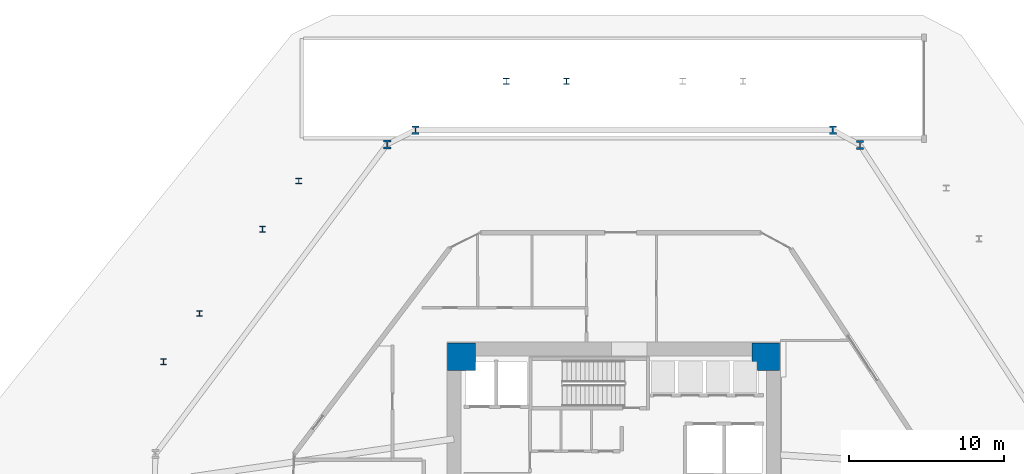
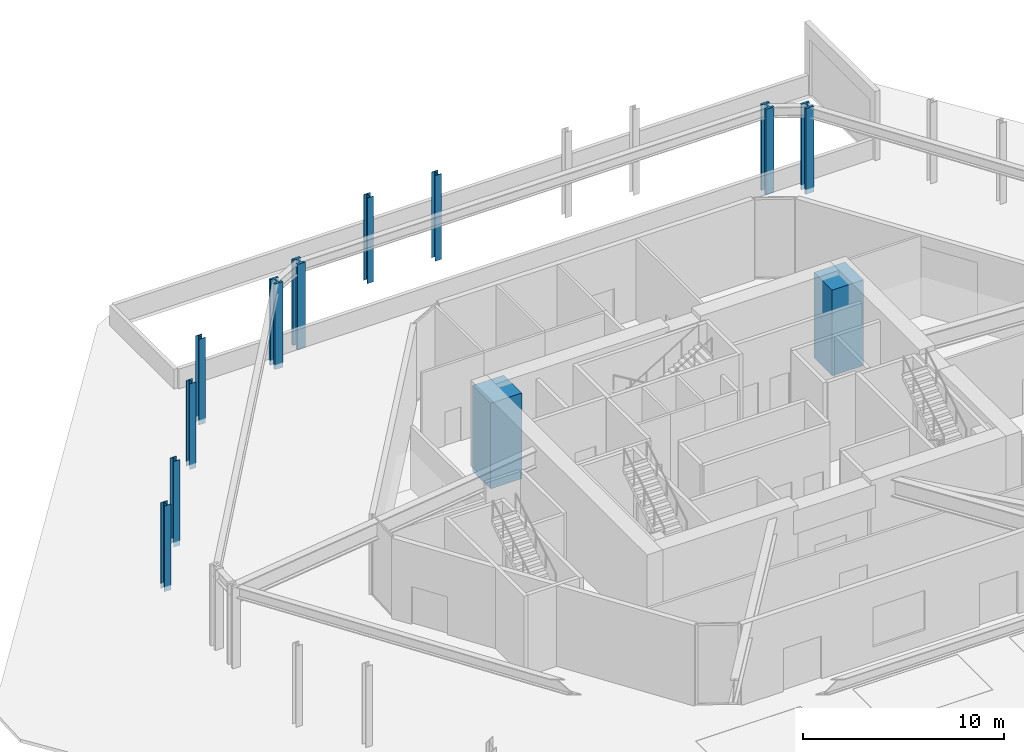
# One storey, part 3 of 18: 12 columns.
"""IFC4 building model written with IfcOpenShell, lengths in metres."""

from ifc_helpers import new_model, si_unit, direction, frame, origin, origin_2d, place, context, subcontext, project, spatial, rectangle, i_section, extrude, source, transform, mapped, material, material_profile, profile_set, type_object, type_shapes, element, save


model = new_model("IFC4")

# Units and contexts
model_context = context("Model", 3, precision=1e-05, world=origin(), true_north=direction((0.0, 1.0)))
body_context = subcontext(model_context, "Body", "Model", "MODEL_VIEW")
ifc_project = project(units=[si_unit("LENGTHUNIT", "METRE"), si_unit("AREAUNIT", "SQUARE_METRE"), si_unit("VOLUMEUNIT", "CUBIC_METRE"), si_unit("PLANEANGLEUNIT", "RADIAN"), si_unit("MASSUNIT", "GRAM", prefix="KILO")], contexts=[model_context])

# Site, building, storey
site_placement = place(None, origin())
site = spatial("IfcSite", under=ifc_project, at=site_placement, CompositionType="ELEMENT")
building_placement = place(site_placement, origin())
building = spatial("IfcBuilding", under=site, at=building_placement, Name="Durnholm Broadcast Tower", CompositionType="ELEMENT")
storey_placement = place(building_placement, origin())
storey = spatial("IfcBuildingStorey", under=building, at=storey_placement, Name="L00", CompositionType="ELEMENT", Elevation=0.0)

# Columns
ifc_material_1 = material(Name="Concrete C70/85", Category="concrete")
ifc_material_profile_1 = material_profile(ifc_material_1, rectangle(XDim=1.800048828125, YDim=1.800048828125, at=origin_2d()), Name="RC1800X1800")
ifc_profile_set_1 = profile_set([ifc_material_profile_1], Name="Concrete C70/85")
column_type_1 = type_object("IfcColumnType", Name="COL-CC-1800", PredefinedType="COLUMN", material=ifc_profile_set_1)
shared_shape_1 = source(origin(), body_context, "Body", "SweptSolid", [
    extrude(rectangle(XDim=1.800048828125, YDim=1.800048828125, at=origin_2d()), origin(), (0.0, 0.0, 1.0), 5.199951171875),
])
type_shapes(column_type_1, [shared_shape_1])
for number, where, z_axis, x_axis, name in (
    (1, (9.800048828125, 7.800048828125, -0.300048828125), (0.0, 0.0, 1.0), (1.0, 0.0, 0.0), "L00 core corner column 3"),
    (2, (-9.800048828125, 7.800048828125, -0.300048828125), (0.0, 0.0, 1.0), (1.0, 0.0, 0.0), "L00 core corner column 4"),
):
    element("IfcColumn", number, at=place(storey_placement, frame(where, z_axis=z_axis, x_axis=x_axis)), inside=storey, type_object=column_type_1, Name=name, PredefinedType="COLUMN", context=body_context, shape_type="MappedRepresentation", body=[
        mapped(shared_shape_1, transform((0.0, 0.0, 0.0), x_axis=(1.0, 0.0, 0.0), y_axis=(0.0, 1.0, 0.0), z_axis=(0.0, 0.0, 1.0), scale=1.0)),
    ])
ifc_material_2 = material(Name="Steel ASTM A913 Grade 65", Category="steel")
ifc_material_profile_2 = material_profile(ifc_material_2, i_section(OverallWidth=0.454345703125, OverallDepth=0.569091796875, WebThickness=0.077880859375, FlangeThickness=0.124755859375, FilletRadius=0.030517578125, at=origin_2d()), Name="W14X730")
ifc_profile_set_2 = profile_set([ifc_material_profile_2], Name="Steel ASTM A913 Grade 65")
column_type_2 = type_object("IfcColumnType", Name="STL-SC-W14X730", PredefinedType="COLUMN", material=ifc_profile_set_2)
shared_shape_2 = source(origin(), body_context, "Body", "SweptSolid", [
    extrude(i_section(OverallWidth=0.454345703125, OverallDepth=0.569091796875, WebThickness=0.077880859375, FlangeThickness=0.124755859375, FilletRadius=0.030517578125, at=origin_2d()), origin(), (0.0, 0.0, 1.0), 5.199951171875),
])
type_shapes(column_type_2, [shared_shape_2])
for number, where, z_axis, x_axis, name in (
    (3, (-14.594482421875, 21.487548828125, -0.300048828125), (0.0, 0.0, 1.0), (1.0, 0.0, 0.0), "L00 perimeter hexagonal tube column 04"),
    (4, (-12.77197265625, 22.39990234375, -0.300048828125), (0.0, 0.0, 1.0), (1.0, 0.0, 0.0), "L00 perimeter hexagonal tube column 05"),
    (5, (14.119384765625, 22.39990234375, -0.300048828125), (0.0, 0.0, 1.0), (1.0, 0.0, 0.0), "L00 perimeter hexagonal tube column 06"),
    (6, (15.866455078125, 21.45068359375, -0.300048828125), (0.0, 0.0, 1.0), (1.0, 0.0, 0.0), "L00 perimeter hexagonal tube column 07"),
):
    element("IfcColumn", number, at=place(storey_placement, frame(where, z_axis=z_axis, x_axis=x_axis)), inside=storey, type_object=column_type_2, Name=name, PredefinedType="COLUMN", context=body_context, shape_type="MappedRepresentation", body=[
        mapped(shared_shape_2, transform((0.0, 0.0, 0.0), x_axis=(1.0, 0.0, 0.0), y_axis=(0.0, 1.0, 0.0), z_axis=(0.0, 0.0, 1.0), scale=1.0)),
    ])
ifc_material_3 = material(Name="Steel ASTM A992 Grade 50", Category="steel")
ifc_material_profile_3 = material_profile(ifc_material_3, i_section(OverallWidth=0.37255859375, OverallDepth=0.367919921875, WebThickness=0.014892578125, FlangeThickness=0.02392578125, FilletRadius=0.030517578125, at=origin_2d()), Name="W14X120")
ifc_profile_set_3 = profile_set([ifc_material_profile_3], Name="Steel ASTM A992 Grade 50")
column_type_3 = type_object("IfcColumnType", Name="STL-SC-W14X120", PredefinedType="COLUMN", material=ifc_profile_set_3)
shared_shape_3 = source(origin(), body_context, "Body", "SweptSolid", [
    extrude(i_section(OverallWidth=0.37255859375, OverallDepth=0.367919921875, WebThickness=0.014892578125, FlangeThickness=0.02392578125, FilletRadius=0.030517578125, at=origin_2d()), origin(), (0.0, 0.0, 1.0), 5.199951171875),
])
type_shapes(column_type_3, [shared_shape_3])
for number, where, z_axis, x_axis, name in (
    (7, (-3.041259765625, 25.550048828125, -0.300048828125), (0.0, 0.0, 1.0), (1.0, 0.0, 0.0), "L00 stand-off exoskeleton pilotis column F4.3"),
    (8, (-6.9296875, 25.550048828125, -0.300048828125), (0.0, 0.0, 1.0), (1.0, 0.0, 0.0), "L00 stand-off exoskeleton pilotis column F4.4"),
    (9, (-20.2978515625, 19.123779296875, -0.300048828125), (0.0, 0.0, 1.0), (1.0, 0.0, 0.0), "L00 stand-off exoskeleton pilotis column F5.1"),
    (10, (-22.62744140625, 16.0107421875, -0.300048828125), (0.0, 0.0, 1.0), (1.0, 0.0, 0.0), "L00 stand-off exoskeleton pilotis column F5.2"),
    (11, (-26.6875, 10.585693359375, -0.300048828125), (0.0, 0.0, 1.0), (1.0, 0.0, 0.0), "L00 stand-off exoskeleton pilotis column F5.3"),
    (12, (-29.01708984375, 7.472412109375, -0.300048828125), (0.0, 0.0, 1.0), (1.0, 0.0, 0.0), "L00 stand-off exoskeleton pilotis column F5.4"),
):
    element("IfcColumn", number, at=place(storey_placement, frame(where, z_axis=z_axis, x_axis=x_axis)), inside=storey, type_object=column_type_3, Name=name, PredefinedType="COLUMN", context=body_context, shape_type="MappedRepresentation", body=[
        mapped(shared_shape_3, transform((0.0, 0.0, 0.0), x_axis=(1.0, 0.0, 0.0), y_axis=(0.0, 1.0, 0.0), z_axis=(0.0, 0.0, 1.0), scale=1.0)),
    ])

save(model, "model.ifc")
